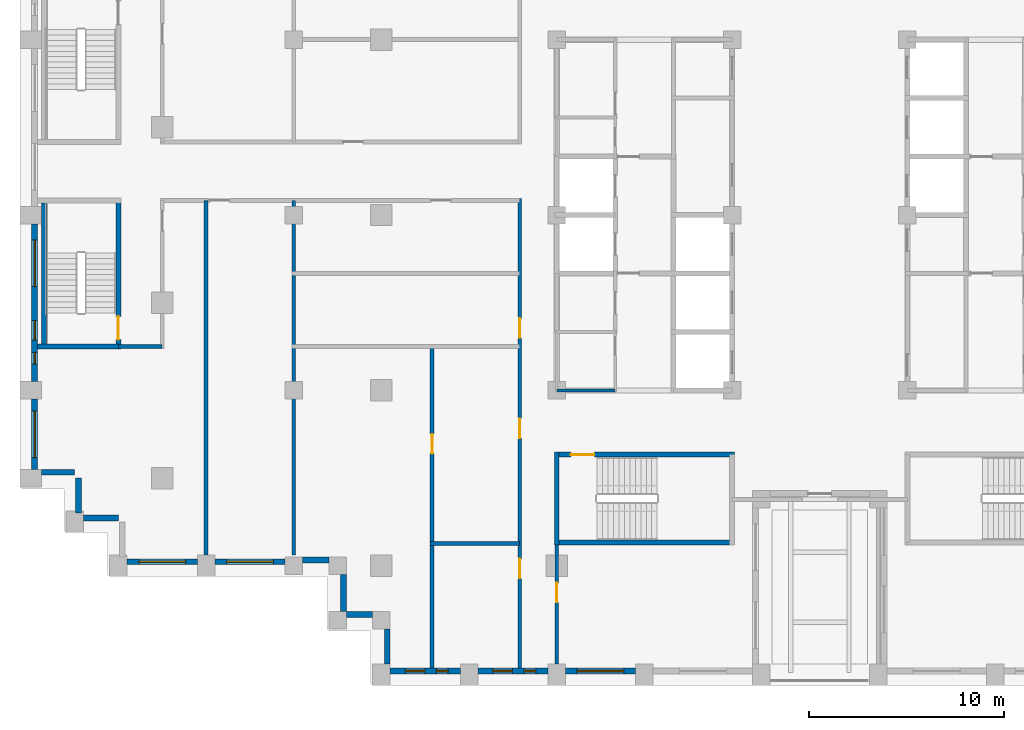
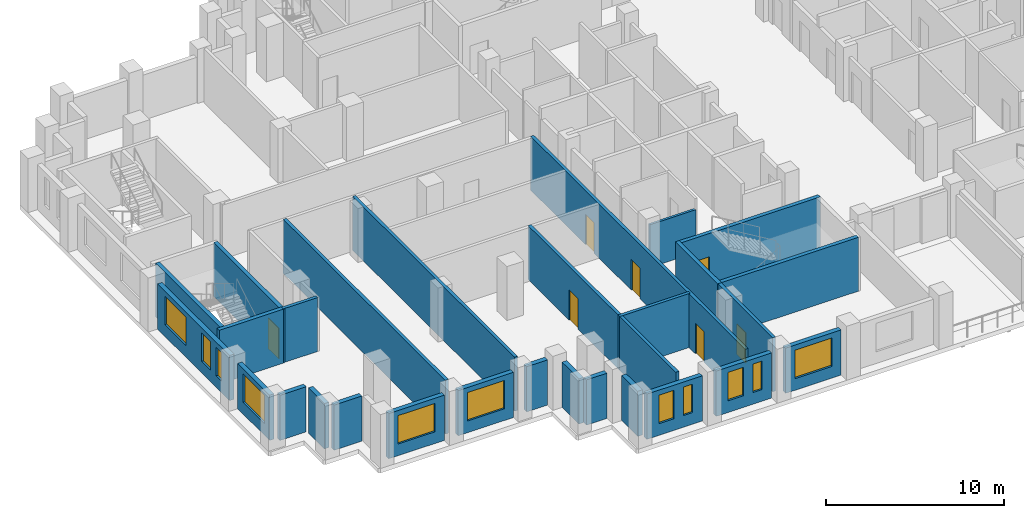
# One storey, part 2 of 12: 28 walls, 11 windows, 7 doors, 18 openings.
"""IFC4 building model written with IfcOpenShell, lengths in metres."""

from ifc_helpers import new_model, si_unit, direction, frame, frame_2d, origin, place, context, subcontext, project, spatial, rectangle, extrude, material, layer, layer_set, type_object, element, fill, save


model = new_model("IFC4")

# Units and contexts
model_context = context("Model", 3, precision=1e-05, world=origin(), true_north=direction((0.0, 1.0)))
body_context = subcontext(model_context, "Body", "Model", "MODEL_VIEW")
ifc_project = project(units=[si_unit("LENGTHUNIT", "METRE"), si_unit("AREAUNIT", "SQUARE_METRE"), si_unit("VOLUMEUNIT", "CUBIC_METRE"), si_unit("PLANEANGLEUNIT", "RADIAN"), si_unit("MASSUNIT", "GRAM", prefix="KILO")], contexts=[model_context])

# Site, building, storey
site_placement = place(None, origin())
site = spatial("IfcSite", under=ifc_project, at=site_placement, CompositionType="ELEMENT")
building_placement = place(site_placement, origin())
building = spatial("IfcBuilding", under=site, at=building_placement, Name="Corbelhall Arena Tower", CompositionType="ELEMENT")
storey_placement = place(building_placement, frame((0.0, 0.0, 126.0)))
storey = spatial("IfcBuildingStorey", under=building, at=storey_placement, Name="L23", CompositionType="ELEMENT", Elevation=126.0)

# Walls
ifc_material_1 = material(Name="Precast concrete C40/50 with granite facing", Category="masonry")
ifc_layer_1 = layer(ifc_material_1, 0.300048828125)
ifc_layer_set_1 = layer_set([ifc_layer_1], Name="EV-IW1 Infill panel 300")
wall_type_1 = type_object("IfcWallType", Name="EV-IW1 Infill panel 300", PredefinedType="SOLIDWALL", material=ifc_layer_set_1)
wall_1_placement = place(storey_placement, frame((-39.949951171875, -13.199951171875, 0.0), z_axis=(0.0, 0.0, 1.0), x_axis=(1.0, 0.0, 0.0)))
element("IfcWall", 1, at=wall_1_placement, inside=storey, type_object=wall_type_1, Name="Infill panel IW1", PredefinedType="SOLIDWALL", context=body_context, shape_type="SweptSolid", body=[
    extrude(rectangle(XDim=1.699951171875, YDim=0.300048828125, at=frame_2d((0.85009765625, 0.0))), origin(), (0.0, 0.0, 1.0), 3.10009765625),
])
for number, where, z_axis, x_axis, name in (
    (2, (-38.050048828125, -15.300048828125, 0.0), (0.0, 0.0, 1.0), (0.0, 1.0, 0.0), "Infill panel IW1"),
    (3, (-37.800048828125, -15.550048828125, 0.0), (0.0, 0.0, 1.0), (1.0, 0.0, 0.0), "Infill panel IW1"),
):
    element("IfcWall", number, at=place(storey_placement, frame(where, z_axis=z_axis, x_axis=x_axis)), inside=storey, type_object=wall_type_1, Name=name, PredefinedType="SOLIDWALL", context=body_context, shape_type="SweptSolid", body=[
        extrude(rectangle(XDim=1.800048828125, YDim=0.300048828125, at=frame_2d((0.89990234375, 0.0))), origin(), (0.0, 0.0, 1.0), 3.10009765625),
    ])

# Wall, openings, windows
wall_2_placement = place(storey_placement, frame((-40.300048828125, -0.449951171875, 0.0), z_axis=(0.0, 0.0, 1.0), x_axis=(0.0, -1.0, 0.0)))
wall_2 = element("IfcWall", 4, at=wall_2_placement, inside=storey, type_object=wall_type_1, Name="Infill panel IW1", PredefinedType="SOLIDWALL", context=body_context, shape_type="SweptSolid", body=[
    extrude(rectangle(XDim=8.10009765625, YDim=0.300048828125, at=frame_2d((4.050048828125, 0.0))), origin(), (0.0, 0.0, 1.0), 3.10009765625),
])
opening_1_placement = place(wall_2_placement, frame((0.824951171875, 0.0, 0.800048828125)))
opening_1 = element("IfcOpeningElement", 5, at=opening_1_placement, cuts=wall_2, Name="Opening WN1", PredefinedType="OPENING", context=body_context, shape_type="SweptSolid", body=[
    extrude(rectangle(XDim=2.39990234375, YDim=1.949951171875, at=frame_2d((1.199951171875, 0.97509765625))), frame((0.0, 0.14990234375, 0.0), z_axis=(0.0, -1.0, 0.0), x_axis=(1.0, 0.0, 0.0)), (0.0, 0.0, 1.0), 0.300048828125),
])
opening_2_placement = place(wall_2_placement, frame((4.97509765625, 0.0, 0.800048828125)))
opening_2 = element("IfcOpeningElement", 6, at=opening_2_placement, cuts=wall_2, Name="Opening WN6", PredefinedType="OPENING", context=body_context, shape_type="SweptSolid", body=[
    extrude(rectangle(XDim=1.0, YDim=1.949951171875, at=frame_2d((0.5, 0.97509765625))), frame((0.0, 0.14990234375, 0.0), z_axis=(0.0, -1.0, 0.0), x_axis=(1.0, 0.0, 0.0)), (0.0, 0.0, 1.0), 0.300048828125),
])
opening_3_placement = place(wall_2_placement, frame((6.60009765625, 0.0, 0.800048828125)))
opening_3 = element("IfcOpeningElement", 7, at=opening_3_placement, cuts=wall_2, Name="Opening WN5", PredefinedType="OPENING", context=body_context, shape_type="SweptSolid", body=[
    extrude(rectangle(XDim=0.60009765625, YDim=1.949951171875, at=frame_2d((0.300048828125, 0.97509765625))), frame((0.0, 0.14990234375, 0.0), z_axis=(0.0, -1.0, 0.0), x_axis=(1.0, 0.0, 0.0)), (0.0, 0.0, 1.0), 0.300048828125),
])
ifc_material_2 = material(Name="Aluminium black anodised", Category="aluminium")
window_type_1 = type_object("IfcWindowType", Name="EV-WN1 Office window", PartitioningType="SINGLE_PANEL", PredefinedType="WINDOW", material=ifc_material_2)
window_1_placement = place(opening_1_placement, origin())
window_1 = element("IfcWindow", 8, at=window_1_placement, inside=storey, type_object=window_type_1, Name="Window WN1", OverallHeight=1.949951171875, OverallWidth=2.39990234375, PartitioningType="SINGLE_PANEL", PredefinedType="WINDOW", context=body_context, shape_type="SweptSolid", body=[
    extrude(rectangle(XDim=2.39990234375, YDim=1.949951171875, at=frame_2d((1.199951171875, 0.97509765625))), frame((0.0, 0.030029296875, 0.0), z_axis=(0.0, -1.0, 0.0), x_axis=(1.0, 0.0, 0.0)), (0.0, 0.0, 1.0), 0.06005859375),
])
fill(opening_1, window_1)
window_type_2 = type_object("IfcWindowType", Name="EV-WN5 Office window 600", PartitioningType="SINGLE_PANEL", PredefinedType="WINDOW", material=ifc_material_2)
window_2_placement = place(opening_3_placement, origin())
window_2 = element("IfcWindow", 9, at=window_2_placement, inside=storey, type_object=window_type_2, Name="Window WN5", OverallHeight=1.949951171875, OverallWidth=0.60009765625, PartitioningType="SINGLE_PANEL", PredefinedType="WINDOW", context=body_context, shape_type="SweptSolid", body=[
    extrude(rectangle(XDim=0.60009765625, YDim=1.949951171875, at=frame_2d((0.300048828125, 0.97509765625))), frame((0.0, 0.030029296875, 0.0), z_axis=(0.0, -1.0, 0.0), x_axis=(1.0, 0.0, 0.0)), (0.0, 0.0, 1.0), 0.06005859375),
])
fill(opening_3, window_2)
window_type_3 = type_object("IfcWindowType", Name="EV-WN6 Office window 1000", PartitioningType="SINGLE_PANEL", PredefinedType="WINDOW", material=ifc_material_2)
window_3_placement = place(opening_2_placement, origin())
window_3 = element("IfcWindow", 10, at=window_3_placement, inside=storey, type_object=window_type_3, Name="Window WN6", OverallHeight=1.949951171875, OverallWidth=1.0, PartitioningType="SINGLE_PANEL", PredefinedType="WINDOW", context=body_context, shape_type="SweptSolid", body=[
    extrude(rectangle(XDim=1.0, YDim=1.949951171875, at=frame_2d((0.5, 0.97509765625))), frame((0.0, 0.030029296875, 0.0), z_axis=(0.0, -1.0, 0.0), x_axis=(1.0, 0.0, 0.0)), (0.0, 0.0, 1.0), 0.06005859375),
])
fill(opening_2, window_3)

# Wall, opening, window
wall_3_placement = place(storey_placement, frame((-40.300048828125, -9.449951171875, 0.0), z_axis=(0.0, 0.0, 1.0), x_axis=(0.0, -1.0, 0.0)))
wall_3 = element("IfcWall", 11, at=wall_3_placement, inside=storey, type_object=wall_type_1, Name="Infill panel IW1", PredefinedType="SOLIDWALL", context=body_context, shape_type="SweptSolid", body=[
    extrude(rectangle(XDim=3.60009765625, YDim=0.300048828125, at=frame_2d((1.800048828125, 0.0))), origin(), (0.0, 0.0, 1.0), 3.10009765625),
])
opening_4_placement = place(wall_3_placement, frame((0.60009765625, 0.0, 0.800048828125)))
opening_4 = element("IfcOpeningElement", 12, at=opening_4_placement, cuts=wall_3, Name="Opening WN1", PredefinedType="OPENING", context=body_context, shape_type="SweptSolid", body=[
    extrude(rectangle(XDim=2.39990234375, YDim=1.949951171875, at=frame_2d((1.199951171875, 0.97509765625))), frame((0.0, 0.14990234375, 0.0), z_axis=(0.0, -1.0, 0.0), x_axis=(1.0, 0.0, 0.0)), (0.0, 0.0, 1.0), 0.300048828125),
])
window_4_placement = place(opening_4_placement, origin())
window_4 = element("IfcWindow", 13, at=window_4_placement, inside=storey, type_object=window_type_1, Name="Window WN1", OverallHeight=1.949951171875, OverallWidth=2.39990234375, PartitioningType="SINGLE_PANEL", PredefinedType="WINDOW", context=body_context, shape_type="SweptSolid", body=[
    extrude(rectangle(XDim=2.39990234375, YDim=1.949951171875, at=frame_2d((1.199951171875, 0.97509765625))), frame((0.0, 0.030029296875, 0.0), z_axis=(0.0, -1.0, 0.0), x_axis=(1.0, 0.0, 0.0)), (0.0, 0.0, 1.0), 0.06005859375),
])
fill(opening_4, window_4)

wall_4_placement = place(storey_placement, frame((-35.550048828125, -17.800048828125, 0.0), z_axis=(0.0, 0.0, 1.0), x_axis=(1.0, 0.0, 0.0)))
wall_4 = element("IfcWall", 14, at=wall_4_placement, inside=storey, type_object=wall_type_1, Name="Infill panel IW1", PredefinedType="SOLIDWALL", context=body_context, shape_type="SweptSolid", body=[
    extrude(rectangle(XDim=3.60009765625, YDim=0.300048828125, at=frame_2d((1.800048828125, 0.0))), origin(), (0.0, 0.0, 1.0), 3.10009765625),
])
opening_5_placement = place(wall_4_placement, frame((0.60009765625, 0.0, 0.800048828125)))
opening_5 = element("IfcOpeningElement", 15, at=opening_5_placement, cuts=wall_4, Name="Opening WN1", PredefinedType="OPENING", context=body_context, shape_type="SweptSolid", body=[
    extrude(rectangle(XDim=2.39990234375, YDim=1.949951171875, at=frame_2d((1.199951171875, 0.97509765625))), frame((0.0, 0.14990234375, 0.0), z_axis=(0.0, -1.0, 0.0), x_axis=(1.0, 0.0, 0.0)), (0.0, 0.0, 1.0), 0.300048828125),
])
window_5_placement = place(opening_5_placement, origin())
window_5 = element("IfcWindow", 16, at=window_5_placement, inside=storey, type_object=window_type_1, Name="Window WN1", OverallHeight=1.949951171875, OverallWidth=2.39990234375, PartitioningType="SINGLE_PANEL", PredefinedType="WINDOW", context=body_context, shape_type="SweptSolid", body=[
    extrude(rectangle(XDim=2.39990234375, YDim=1.949951171875, at=frame_2d((1.199951171875, 0.97509765625))), frame((0.0, 0.030029296875, 0.0), z_axis=(0.0, -1.0, 0.0), x_axis=(1.0, 0.0, 0.0)), (0.0, 0.0, 1.0), 0.06005859375),
])
fill(opening_5, window_5)

wall_5_placement = place(storey_placement, frame((-31.050048828125, -17.800048828125, 0.0), z_axis=(0.0, 0.0, 1.0), x_axis=(1.0, 0.0, 0.0)))
wall_5 = element("IfcWall", 17, at=wall_5_placement, inside=storey, type_object=wall_type_1, Name="Infill panel IW1", PredefinedType="SOLIDWALL", context=body_context, shape_type="SweptSolid", body=[
    extrude(rectangle(XDim=3.60009765625, YDim=0.300048828125, at=frame_2d((1.800048828125, 0.0))), origin(), (0.0, 0.0, 1.0), 3.10009765625),
])
opening_6_placement = place(wall_5_placement, frame((0.60009765625, 0.0, 0.800048828125)))
opening_6 = element("IfcOpeningElement", 18, at=opening_6_placement, cuts=wall_5, Name="Opening WN1", PredefinedType="OPENING", context=body_context, shape_type="SweptSolid", body=[
    extrude(rectangle(XDim=2.39990234375, YDim=1.949951171875, at=frame_2d((1.199951171875, 0.97509765625))), frame((0.0, 0.14990234375, 0.0), z_axis=(0.0, -1.0, 0.0), x_axis=(1.0, 0.0, 0.0)), (0.0, 0.0, 1.0), 0.300048828125),
])
window_6_placement = place(opening_6_placement, origin())
window_6 = element("IfcWindow", 19, at=window_6_placement, inside=storey, type_object=window_type_1, Name="Window WN1", OverallHeight=1.949951171875, OverallWidth=2.39990234375, PartitioningType="SINGLE_PANEL", PredefinedType="WINDOW", context=body_context, shape_type="SweptSolid", body=[
    extrude(rectangle(XDim=2.39990234375, YDim=1.949951171875, at=frame_2d((1.199951171875, 0.97509765625))), frame((0.0, 0.030029296875, 0.0), z_axis=(0.0, -1.0, 0.0), x_axis=(1.0, 0.0, 0.0)), (0.0, 0.0, 1.0), 0.06005859375),
])
fill(opening_6, window_6)

# Walls
wall_6_placement = place(storey_placement, frame((-26.550048828125, -17.699951171875, 0.0), z_axis=(0.0, 0.0, 1.0), x_axis=(1.0, 0.0, 0.0)))
element("IfcWall", 20, at=wall_6_placement, inside=storey, type_object=wall_type_1, Name="Infill panel IW1", PredefinedType="SOLIDWALL", context=body_context, shape_type="SweptSolid", body=[
    extrude(rectangle(XDim=1.35009765625, YDim=0.300048828125, at=frame_2d((0.675048828125, 0.0))), origin(), (0.0, 0.0, 1.0), 3.10009765625),
])
wall_7_placement = place(storey_placement, frame((-24.449951171875, -18.449951171875, 0.0), z_axis=(0.0, 0.0, 1.0), x_axis=(0.0, -1.0, 0.0)))
element("IfcWall", 21, at=wall_7_placement, inside=storey, type_object=wall_type_1, Name="Infill panel IW1", PredefinedType="SOLIDWALL", context=body_context, shape_type="SweptSolid", body=[
    extrude(rectangle(XDim=1.900146484375, YDim=0.300048828125, at=frame_2d((0.9501953125, 0.0))), origin(), (0.0, 0.0, 1.0), 3.10009765625),
])
wall_8_placement = place(storey_placement, frame((-24.300048828125, -20.5, 0.0), z_axis=(0.0, 0.0, 1.0), x_axis=(1.0, 0.0, 0.0)))
element("IfcWall", 22, at=wall_8_placement, inside=storey, type_object=wall_type_1, Name="Infill panel IW1", PredefinedType="SOLIDWALL", context=body_context, shape_type="SweptSolid", body=[
    extrude(rectangle(XDim=1.35009765625, YDim=0.300048828125, at=frame_2d((0.675048828125, 0.0))), origin(), (0.0, 0.0, 1.0), 3.10009765625),
])
wall_9_placement = place(storey_placement, frame((-22.199951171875, -21.25, 0.0), z_axis=(0.0, 0.0, 1.0), x_axis=(0.0, -1.0, 0.0)))
element("IfcWall", 23, at=wall_9_placement, inside=storey, type_object=wall_type_1, Name="Infill panel IW1", PredefinedType="SOLIDWALL", context=body_context, shape_type="SweptSolid", body=[
    extrude(rectangle(XDim=1.800048828125, YDim=0.300048828125, at=frame_2d((0.89990234375, 0.0))), origin(), (0.0, 0.0, 1.0), 3.10009765625),
])

# Wall, openings, windows
wall_10_placement = place(storey_placement, frame((-22.050048828125, -23.39990234375, 0.0), z_axis=(0.0, 0.0, 1.0), x_axis=(1.0, 0.0, 0.0)))
wall_10 = element("IfcWall", 24, at=wall_10_placement, inside=storey, type_object=wall_type_1, Name="Infill panel IW1", PredefinedType="SOLIDWALL", context=body_context, shape_type="SweptSolid", body=[
    extrude(rectangle(XDim=3.60009765625, YDim=0.300048828125, at=frame_2d((1.800048828125, 0.0))), origin(), (0.0, 0.0, 1.0), 3.10009765625),
])
opening_7_placement = place(wall_10_placement, frame((0.77490234375, 0.0, 0.800048828125)))
opening_7 = element("IfcOpeningElement", 25, at=opening_7_placement, cuts=wall_10, Name="Opening WN6", PredefinedType="OPENING", context=body_context, shape_type="SweptSolid", body=[
    extrude(rectangle(XDim=1.0, YDim=1.949951171875, at=frame_2d((0.5, 0.97509765625))), frame((0.0, 0.14990234375, 0.0), z_axis=(0.0, -1.0, 0.0), x_axis=(1.0, 0.0, 0.0)), (0.0, 0.0, 1.0), 0.300048828125),
])
opening_8_placement = place(wall_10_placement, frame((2.375, 0.0, 0.800048828125)))
opening_8 = element("IfcOpeningElement", 26, at=opening_8_placement, cuts=wall_10, Name="Opening WN5", PredefinedType="OPENING", context=body_context, shape_type="SweptSolid", body=[
    extrude(rectangle(XDim=0.60009765625, YDim=1.949951171875, at=frame_2d((0.300048828125, 0.97509765625))), frame((0.0, 0.14990234375, 0.0), z_axis=(0.0, -1.0, 0.0), x_axis=(1.0, 0.0, 0.0)), (0.0, 0.0, 1.0), 0.300048828125),
])
window_7_placement = place(opening_8_placement, origin())
window_7 = element("IfcWindow", 27, at=window_7_placement, inside=storey, type_object=window_type_2, Name="Window WN5", OverallHeight=1.949951171875, OverallWidth=0.60009765625, PartitioningType="SINGLE_PANEL", PredefinedType="WINDOW", context=body_context, shape_type="SweptSolid", body=[
    extrude(rectangle(XDim=0.60009765625, YDim=1.949951171875, at=frame_2d((0.300048828125, 0.97509765625))), frame((0.0, 0.030029296875, 0.0), z_axis=(0.0, -1.0, 0.0), x_axis=(1.0, 0.0, 0.0)), (0.0, 0.0, 1.0), 0.06005859375),
])
fill(opening_8, window_7)
window_8_placement = place(opening_7_placement, origin())
window_8 = element("IfcWindow", 28, at=window_8_placement, inside=storey, type_object=window_type_3, Name="Window WN6", OverallHeight=1.949951171875, OverallWidth=1.0, PartitioningType="SINGLE_PANEL", PredefinedType="WINDOW", context=body_context, shape_type="SweptSolid", body=[
    extrude(rectangle(XDim=1.0, YDim=1.949951171875, at=frame_2d((0.5, 0.97509765625))), frame((0.0, 0.030029296875, 0.0), z_axis=(0.0, -1.0, 0.0), x_axis=(1.0, 0.0, 0.0)), (0.0, 0.0, 1.0), 0.06005859375),
])
fill(opening_7, window_8)

wall_11_placement = place(storey_placement, frame((-17.550048828125, -23.39990234375, 0.0), z_axis=(0.0, 0.0, 1.0), x_axis=(1.0, 0.0, 0.0)))
wall_11 = element("IfcWall", 29, at=wall_11_placement, inside=storey, type_object=wall_type_1, Name="Infill panel IW1", PredefinedType="SOLIDWALL", context=body_context, shape_type="SweptSolid", body=[
    extrude(rectangle(XDim=3.60009765625, YDim=0.300048828125, at=frame_2d((1.800048828125, 0.0))), origin(), (0.0, 0.0, 1.0), 3.10009765625),
])
opening_9_placement = place(wall_11_placement, frame((0.77490234375, 0.0, 0.800048828125)))
opening_9 = element("IfcOpeningElement", 30, at=opening_9_placement, cuts=wall_11, Name="Opening WN6", PredefinedType="OPENING", context=body_context, shape_type="SweptSolid", body=[
    extrude(rectangle(XDim=1.0, YDim=1.949951171875, at=frame_2d((0.5, 0.97509765625))), frame((0.0, 0.14990234375, 0.0), z_axis=(0.0, -1.0, 0.0), x_axis=(1.0, 0.0, 0.0)), (0.0, 0.0, 1.0), 0.300048828125),
])
opening_10_placement = place(wall_11_placement, frame((2.375, 0.0, 0.800048828125)))
opening_10 = element("IfcOpeningElement", 31, at=opening_10_placement, cuts=wall_11, Name="Opening WN5", PredefinedType="OPENING", context=body_context, shape_type="SweptSolid", body=[
    extrude(rectangle(XDim=0.60009765625, YDim=1.949951171875, at=frame_2d((0.300048828125, 0.97509765625))), frame((0.0, 0.14990234375, 0.0), z_axis=(0.0, -1.0, 0.0), x_axis=(1.0, 0.0, 0.0)), (0.0, 0.0, 1.0), 0.300048828125),
])
window_9_placement = place(opening_10_placement, origin())
window_9 = element("IfcWindow", 32, at=window_9_placement, inside=storey, type_object=window_type_2, Name="Window WN5", OverallHeight=1.949951171875, OverallWidth=0.60009765625, PartitioningType="SINGLE_PANEL", PredefinedType="WINDOW", context=body_context, shape_type="SweptSolid", body=[
    extrude(rectangle(XDim=0.60009765625, YDim=1.949951171875, at=frame_2d((0.300048828125, 0.97509765625))), frame((0.0, 0.030029296875, 0.0), z_axis=(0.0, -1.0, 0.0), x_axis=(1.0, 0.0, 0.0)), (0.0, 0.0, 1.0), 0.06005859375),
])
fill(opening_10, window_9)
window_10_placement = place(opening_9_placement, origin())
window_10 = element("IfcWindow", 33, at=window_10_placement, inside=storey, type_object=window_type_3, Name="Window WN6", OverallHeight=1.949951171875, OverallWidth=1.0, PartitioningType="SINGLE_PANEL", PredefinedType="WINDOW", context=body_context, shape_type="SweptSolid", body=[
    extrude(rectangle(XDim=1.0, YDim=1.949951171875, at=frame_2d((0.5, 0.97509765625))), frame((0.0, 0.030029296875, 0.0), z_axis=(0.0, -1.0, 0.0), x_axis=(1.0, 0.0, 0.0)), (0.0, 0.0, 1.0), 0.06005859375),
])
fill(opening_9, window_10)

# Wall, opening, window
wall_12_placement = place(storey_placement, frame((-13.050048828125, -23.39990234375, 0.0), z_axis=(0.0, 0.0, 1.0), x_axis=(1.0, 0.0, 0.0)))
wall_12 = element("IfcWall", 34, at=wall_12_placement, inside=storey, type_object=wall_type_1, Name="Infill panel IW1", PredefinedType="SOLIDWALL", context=body_context, shape_type="SweptSolid", body=[
    extrude(rectangle(XDim=3.60009765625, YDim=0.300048828125, at=frame_2d((1.800048828125, 0.0))), origin(), (0.0, 0.0, 1.0), 3.10009765625),
])
opening_11_placement = place(wall_12_placement, frame((0.60009765625, 0.0, 0.800048828125)))
opening_11 = element("IfcOpeningElement", 35, at=opening_11_placement, cuts=wall_12, Name="Opening WN1", PredefinedType="OPENING", context=body_context, shape_type="SweptSolid", body=[
    extrude(rectangle(XDim=2.39990234375, YDim=1.949951171875, at=frame_2d((1.199951171875, 0.97509765625))), frame((0.0, 0.14990234375, 0.0), z_axis=(0.0, -1.0, 0.0), x_axis=(1.0, 0.0, 0.0)), (0.0, 0.0, 1.0), 0.300048828125),
])
window_11_placement = place(opening_11_placement, origin())
window_11 = element("IfcWindow", 36, at=window_11_placement, inside=storey, type_object=window_type_1, Name="Window WN1", OverallHeight=1.949951171875, OverallWidth=2.39990234375, PartitioningType="SINGLE_PANEL", PredefinedType="WINDOW", context=body_context, shape_type="SweptSolid", body=[
    extrude(rectangle(XDim=2.39990234375, YDim=1.949951171875, at=frame_2d((1.199951171875, 0.97509765625))), frame((0.0, 0.030029296875, 0.0), z_axis=(0.0, -1.0, 0.0), x_axis=(1.0, 0.0, 0.0)), (0.0, 0.0, 1.0), 0.06005859375),
])
fill(opening_11, window_11)

# Walls
ifc_material_3 = material(Name="Gypsum board on steel stud, acoustic", Category="steel")
ifc_layer_2 = layer(ifc_material_3, 0.199951171875)
ifc_layer_set_2 = layer_set([ifc_layer_2], Name="IN-W-DM200")
wall_type_2 = type_object("IfcWallType", Name="IN-W-DM200", PredefinedType="PARTITIONING", material=ifc_layer_set_2)
wall_13_placement = place(storey_placement, frame((-33.75, -6.75, 0.0), z_axis=(0.0, 0.0, 1.0), x_axis=(-1.0, 0.0, 0.0)))
element("IfcWall", 37, at=wall_13_placement, inside=storey, type_object=wall_type_2, Name="Partition 003", PredefinedType="PARTITIONING", context=body_context, shape_type="SweptSolid", body=[
    extrude(rectangle(XDim=2.25, YDim=0.199951171875, at=frame_2d((1.125, 0.0))), origin(), (0.0, 0.0, 1.0), 3.699951171875),
])
for number, where, z_axis, x_axis, name in (
    (38, (-31.5, 0.75, 0.0), (0.0, 0.0, 1.0), (0.0, -1.0, 0.0), "Partition 006"),
    (39, (-27.0, -17.449951171875, 0.0), (0.0, 0.0, 1.0), (0.0, 1.0, 0.0), "Partition 011"),
):
    element("IfcWall", number, at=place(storey_placement, frame(where, z_axis=z_axis, x_axis=x_axis)), inside=storey, type_object=wall_type_2, Name=name, PredefinedType="PARTITIONING", context=body_context, shape_type="SweptSolid", body=[
        extrude(rectangle(XDim=18.199951171875, YDim=0.199951171875, at=frame_2d((9.10009765625, 0.0))), origin(), (0.0, 0.0, 1.0), 3.699951171875),
    ])
wall_14_placement = place(storey_placement, frame((-20.0, -16.85009765625, 0.0), z_axis=(0.0, 0.0, 1.0), x_axis=(1.0, 0.0, 0.0)))
element("IfcWall", 40, at=wall_14_placement, inside=storey, type_object=wall_type_2, Name="Partition 015", PredefinedType="PARTITIONING", context=body_context, shape_type="SweptSolid", body=[
    extrude(rectangle(XDim=4.60009765625, YDim=0.199951171875, at=frame_2d((2.300048828125, 0.0))), origin(), (0.0, 0.0, 1.0), 3.699951171875),
])

# Wall, opening, door
wall_15_placement = place(storey_placement, frame((-19.89990234375, -23.25, 0.0), z_axis=(0.0, 0.0, 1.0), x_axis=(0.0, 1.0, 0.0)))
wall_15 = element("IfcWall", 41, at=wall_15_placement, inside=storey, type_object=wall_type_2, Name="Partition 016", PredefinedType="PARTITIONING", context=body_context, shape_type="SweptSolid", body=[
    extrude(rectangle(XDim=16.60009765625, YDim=0.199951171875, at=frame_2d((8.300048828125, 0.0))), origin(), (0.0, 0.0, 1.0), 3.699951171875),
])
opening_12_placement = place(wall_15_placement, frame((11.0, 0.0, 0.0)))
opening_12 = element("IfcOpeningElement", 42, at=opening_12_placement, cuts=wall_15, Name="Opening 06030", PredefinedType="OPENING", context=body_context, shape_type="SweptSolid", body=[
    extrude(rectangle(XDim=1.0, YDim=2.10009765625, at=frame_2d((0.5, 1.050048828125))), frame((0.0, 0.10009765625, 0.0), z_axis=(0.0, -1.0, 0.0), x_axis=(1.0, 0.0, 0.0)), (0.0, 0.0, 1.0), 0.199951171875),
])
ifc_material_4 = material(Name="Steel door set", Category="steel")
door_type_1 = type_object("IfcDoorType", Name="IN-D-SW100", OperationType="NOTDEFINED", PredefinedType="DOOR", material=ifc_material_4)
door_1_placement = place(opening_12_placement, origin())
door_1 = element("IfcDoor", 43, at=door_1_placement, inside=storey, type_object=door_type_1, Name="Door 030", OperationType="SINGLE_SWING_LEFT", OverallHeight=2.10009765625, OverallWidth=1.0, PredefinedType="DOOR", context=body_context, shape_type="SweptSolid", body=[
    extrude(rectangle(XDim=1.0, YDim=2.10009765625, at=frame_2d((0.5, 1.050048828125))), frame((0.0, 0.02490234375, 0.0), z_axis=(0.0, -1.0, 0.0), x_axis=(1.0, 0.0, 0.0)), (0.0, 0.0, 1.0), 0.050048828125),
])
fill(opening_12, door_1)

# Wall, openings, doors
wall_16_placement = place(storey_placement, frame((-15.39990234375, -23.25, 0.0), z_axis=(0.0, 0.0, 1.0), x_axis=(0.0, 1.0, 0.0)))
wall_16 = element("IfcWall", 44, at=wall_16_placement, inside=storey, type_object=wall_type_2, Name="Partition 017", PredefinedType="PARTITIONING", context=body_context, shape_type="SweptSolid", body=[
    extrude(rectangle(XDim=24.10009765625, YDim=0.199951171875, at=frame_2d((12.050048828125, 0.0))), origin(), (0.0, 0.0, 1.0), 3.699951171875),
])
opening_13_placement = place(wall_16_placement, frame((4.60009765625, 0.0, 0.0)))
opening_13 = element("IfcOpeningElement", 45, at=opening_13_placement, cuts=wall_16, Name="Opening 06028", PredefinedType="OPENING", context=body_context, shape_type="SweptSolid", body=[
    extrude(rectangle(XDim=1.0, YDim=2.10009765625, at=frame_2d((0.5, 1.050048828125))), frame((0.0, 0.10009765625, 0.0), z_axis=(0.0, -1.0, 0.0), x_axis=(1.0, 0.0, 0.0)), (0.0, 0.0, 1.0), 0.199951171875),
])
opening_14_placement = place(wall_16_placement, frame((11.800048828125, 0.0, 0.0)))
opening_14 = element("IfcOpeningElement", 46, at=opening_14_placement, cuts=wall_16, Name="Opening 06029", PredefinedType="OPENING", context=body_context, shape_type="SweptSolid", body=[
    extrude(rectangle(XDim=1.0, YDim=2.10009765625, at=frame_2d((0.5, 1.050048828125))), frame((0.0, 0.10009765625, 0.0), z_axis=(0.0, -1.0, 0.0), x_axis=(1.0, 0.0, 0.0)), (0.0, 0.0, 1.0), 0.199951171875),
])
opening_15_placement = place(wall_16_placement, frame((16.949951171875, 0.0, 0.0)))
opening_15 = element("IfcOpeningElement", 47, at=opening_15_placement, cuts=wall_16, Name="Opening 06031", PredefinedType="OPENING", context=body_context, shape_type="SweptSolid", body=[
    extrude(rectangle(XDim=1.0, YDim=2.10009765625, at=frame_2d((0.5, 1.050048828125))), frame((0.0, 0.10009765625, 0.0), z_axis=(0.0, -1.0, 0.0), x_axis=(1.0, 0.0, 0.0)), (0.0, 0.0, 1.0), 0.199951171875),
])
door_2_placement = place(opening_13_placement, origin())
door_2 = element("IfcDoor", 48, at=door_2_placement, inside=storey, type_object=door_type_1, Name="Door 028", OperationType="SINGLE_SWING_LEFT", OverallHeight=2.10009765625, OverallWidth=1.0, PredefinedType="DOOR", context=body_context, shape_type="SweptSolid", body=[
    extrude(rectangle(XDim=1.0, YDim=2.10009765625, at=frame_2d((0.5, 1.050048828125))), frame((0.0, 0.02490234375, 0.0), z_axis=(0.0, -1.0, 0.0), x_axis=(1.0, 0.0, 0.0)), (0.0, 0.0, 1.0), 0.050048828125),
])
fill(opening_13, door_2)
door_3_placement = place(opening_14_placement, origin())
door_3 = element("IfcDoor", 49, at=door_3_placement, inside=storey, type_object=door_type_1, Name="Door 029", OperationType="SINGLE_SWING_RIGHT", OverallHeight=2.10009765625, OverallWidth=1.0, PredefinedType="DOOR", context=body_context, shape_type="SweptSolid", body=[
    extrude(rectangle(XDim=1.0, YDim=2.10009765625, at=frame_2d((0.5, 1.050048828125))), frame((0.0, 0.02490234375, 0.0), z_axis=(0.0, -1.0, 0.0), x_axis=(1.0, 0.0, 0.0)), (0.0, 0.0, 1.0), 0.050048828125),
])
fill(opening_14, door_3)
door_4_placement = place(opening_15_placement, origin())
door_4 = element("IfcDoor", 50, at=door_4_placement, inside=storey, type_object=door_type_1, Name="Door 031", OperationType="SINGLE_SWING_RIGHT", OverallHeight=2.10009765625, OverallWidth=1.0, PredefinedType="DOOR", context=body_context, shape_type="SweptSolid", body=[
    extrude(rectangle(XDim=1.0, YDim=2.10009765625, at=frame_2d((0.5, 1.050048828125))), frame((0.0, 0.02490234375, 0.0), z_axis=(0.0, -1.0, 0.0), x_axis=(1.0, 0.0, 0.0)), (0.0, 0.0, 1.0), 0.050048828125),
])
fill(opening_15, door_4)

# Wall, opening, door
wall_17_placement = place(storey_placement, frame((-13.5, -16.675048828125, 0.0), z_axis=(0.0, 0.0, 1.0), x_axis=(0.0, -1.0, 0.0)))
wall_17 = element("IfcWall", 51, at=wall_17_placement, inside=storey, type_object=wall_type_2, Name="Partition 022", PredefinedType="PARTITIONING", context=body_context, shape_type="SweptSolid", body=[
    extrude(rectangle(XDim=6.375, YDim=0.199951171875, at=frame_2d((3.1875, 0.0))), origin(), (0.0, 0.0, 1.0), 3.699951171875),
])
opening_16_placement = place(wall_17_placement, frame((2.199951171875, 0.0, 0.0)))
opening_16 = element("IfcOpeningElement", 52, at=opening_16_placement, cuts=wall_17, Name="Opening 06024", PredefinedType="OPENING", context=body_context, shape_type="SweptSolid", body=[
    extrude(rectangle(XDim=1.0, YDim=2.10009765625, at=frame_2d((0.5, 1.050048828125))), frame((0.0, 0.10009765625, 0.0), z_axis=(0.0, -1.0, 0.0), x_axis=(1.0, 0.0, 0.0)), (0.0, 0.0, 1.0), 0.199951171875),
])
door_5_placement = place(opening_16_placement, origin())
door_5 = element("IfcDoor", 53, at=door_5_placement, inside=storey, type_object=door_type_1, Name="Door 024", OperationType="SINGLE_SWING_LEFT", OverallHeight=2.10009765625, OverallWidth=1.0, PredefinedType="DOOR", context=body_context, shape_type="SweptSolid", body=[
    extrude(rectangle(XDim=1.0, YDim=2.10009765625, at=frame_2d((0.5, 1.050048828125))), frame((0.0, 0.02490234375, 0.0), z_axis=(0.0, -1.0, 0.0), x_axis=(1.0, 0.0, 0.0)), (0.0, 0.0, 1.0), 0.050048828125),
])
fill(opening_16, door_5)

# Wall
ifc_material_5 = material(Name="Concrete C40/50", Category="concrete")
ifc_layer_3 = layer(ifc_material_5, 0.25)
ifc_layer_set_3 = layer_set([ifc_layer_3], Name="IN-W-ST250")
wall_type_3 = type_object("IfcWallType", Name="IN-W-ST250", PredefinedType="SOLIDWALL", material=ifc_layer_set_3)
wall_18_placement = place(storey_placement, frame((-36.0, -6.75, 0.0), z_axis=(0.0, 0.0, 1.0), x_axis=(-1.0, 0.0, 0.0)))
element("IfcWall", 54, at=wall_18_placement, inside=storey, type_object=wall_type_3, Name="Shaft wall 086", PredefinedType="SOLIDWALL", context=body_context, shape_type="SweptSolid", body=[
    extrude(rectangle(XDim=4.14990234375, YDim=0.25, at=frame_2d((2.074951171875, 0.0))), origin(), (0.0, 0.0, 1.0), 3.699951171875),
])

# Wall, opening, door
wall_19_placement = place(storey_placement, frame((-36.0, 0.75, 0.0), z_axis=(0.0, 0.0, 1.0), x_axis=(0.0, -1.0, 0.0)))
wall_19 = element("IfcWall", 55, at=wall_19_placement, inside=storey, type_object=wall_type_3, Name="Shaft wall 087", PredefinedType="SOLIDWALL", context=body_context, shape_type="SweptSolid", body=[
    extrude(rectangle(XDim=7.625, YDim=0.25, at=frame_2d((3.8125, 0.0))), origin(), (0.0, 0.0, 1.0), 3.699951171875),
])
opening_17_placement = place(wall_19_placement, frame((5.949951171875, 0.0, 0.0)))
opening_17 = element("IfcOpeningElement", 56, at=opening_17_placement, cuts=wall_19, Name="Opening 06020", PredefinedType="OPENING", context=body_context, shape_type="SweptSolid", body=[
    extrude(rectangle(XDim=1.199951171875, YDim=2.10009765625, at=frame_2d((0.60009765625, 1.050048828125))), frame((0.0, 0.125, 0.0), z_axis=(0.0, -1.0, 0.0), x_axis=(1.0, 0.0, 0.0)), (0.0, 0.0, 1.0), 0.25),
])
door_type_2 = type_object("IfcDoorType", Name="IN-D-ST120", OperationType="NOTDEFINED", PredefinedType="DOOR", material=ifc_material_4)
door_6_placement = place(opening_17_placement, origin())
door_6 = element("IfcDoor", 57, at=door_6_placement, inside=storey, type_object=door_type_2, Name="Door 020", OperationType="SINGLE_SWING_LEFT", OverallHeight=2.10009765625, OverallWidth=1.199951171875, PredefinedType="DOOR", context=body_context, shape_type="SweptSolid", body=[
    extrude(rectangle(XDim=1.199951171875, YDim=2.10009765625, at=frame_2d((0.60009765625, 1.050048828125))), frame((0.0, 0.02490234375, 0.0), z_axis=(0.0, -1.0, 0.0), x_axis=(1.0, 0.0, 0.0)), (0.0, 0.0, 1.0), 0.050048828125),
])
fill(opening_17, door_6)

# Walls
wall_20_placement = place(storey_placement, frame((-13.5, -12.175048828125, 0.0), z_axis=(0.0, 0.0, 1.0), x_axis=(0.0, -1.0, 0.0)))
element("IfcWall", 58, at=wall_20_placement, inside=storey, type_object=wall_type_3, Name="Shaft wall 090", PredefinedType="SOLIDWALL", context=body_context, shape_type="SweptSolid", body=[
    extrude(rectangle(XDim=4.75, YDim=0.25, at=frame_2d((2.375, 0.0))), origin(), (0.0, 0.0, 1.0), 3.699951171875),
])
wall_21_placement = place(storey_placement, frame((-4.5, -16.800048828125, 0.0), z_axis=(0.0, 0.0, 1.0), x_axis=(-1.0, 0.0, 0.0)))
element("IfcWall", 59, at=wall_21_placement, inside=storey, type_object=wall_type_3, Name="Shaft wall 094", PredefinedType="SOLIDWALL", context=body_context, shape_type="SweptSolid", body=[
    extrude(rectangle(XDim=9.0, YDim=0.25, at=frame_2d((4.5, 0.0))), origin(), (0.0, 0.0, 1.0), 3.699951171875),
])

# Wall, opening, door
wall_22_placement = place(storey_placement, frame((-4.375, -12.300048828125, 0.0), z_axis=(0.0, 0.0, 1.0), x_axis=(-1.0, 0.0, 0.0)))
wall_22 = element("IfcWall", 60, at=wall_22_placement, inside=storey, type_object=wall_type_3, Name="Shaft wall 097", PredefinedType="SOLIDWALL", context=body_context, shape_type="SweptSolid", body=[
    extrude(rectangle(XDim=9.125, YDim=0.25, at=frame_2d((4.5625, 0.0))), origin(), (0.0, 0.0, 1.0), 3.699951171875),
])
opening_18_placement = place(wall_22_placement, frame((7.199951171875, 0.0, 0.0)))
opening_18 = element("IfcOpeningElement", 61, at=opening_18_placement, cuts=wall_22, Name="Opening 06016", PredefinedType="OPENING", context=body_context, shape_type="SweptSolid", body=[
    extrude(rectangle(XDim=1.199951171875, YDim=2.10009765625, at=frame_2d((0.60009765625, 1.050048828125))), frame((0.0, 0.125, 0.0), z_axis=(0.0, -1.0, 0.0), x_axis=(1.0, 0.0, 0.0)), (0.0, 0.0, 1.0), 0.25),
])
door_7_placement = place(opening_18_placement, origin())
door_7 = element("IfcDoor", 62, at=door_7_placement, inside=storey, type_object=door_type_2, Name="Door 016", OperationType="SINGLE_SWING_LEFT", OverallHeight=2.10009765625, OverallWidth=1.199951171875, PredefinedType="DOOR", context=body_context, shape_type="SweptSolid", body=[
    extrude(rectangle(XDim=1.199951171875, YDim=2.10009765625, at=frame_2d((0.60009765625, 1.050048828125))), frame((0.0, 0.02490234375, 0.0), z_axis=(0.0, -1.0, 0.0), x_axis=(1.0, 0.0, 0.0)), (0.0, 0.0, 1.0), 0.050048828125),
])
fill(opening_18, door_7)

# Walls
wall_23_placement = place(storey_placement, frame((-39.824951171875, -6.625, 0.0), z_axis=(0.0, 0.0, 1.0), x_axis=(0.0, 1.0, 0.0)))
element("IfcWall", 63, at=wall_23_placement, inside=storey, type_object=wall_type_3, Name="Shaft wall SC2 facade side", PredefinedType="SOLIDWALL", context=body_context, shape_type="SweptSolid", body=[
    extrude(rectangle(XDim=7.25, YDim=0.25, at=frame_2d((3.625, 0.0))), origin(), (0.0, 0.0, 1.0), 3.699951171875),
])
ifc_material_6 = material(Name="Gypsum board on steel stud, moisture resistant", Category="steel")
ifc_layer_4 = layer(ifc_material_6, 0.14990234375)
ifc_layer_set_4 = layer_set([ifc_layer_4], Name="IN-W-WC150 under beam 762 mm")
wall_type_4 = type_object("IfcWallType", Name="IN-W-WC150 under beam 762 mm", PredefinedType="PARTITIONING", material=ifc_layer_set_4)
wall_24_placement = place(storey_placement, frame((-10.5, -9.0, 0.0), z_axis=(0.0, 0.0, 1.0), x_axis=(-1.0, 0.0, 0.0)))
element("IfcWall", 64, at=wall_24_placement, inside=storey, type_object=wall_type_4, Name="Partition 116", PredefinedType="PARTITIONING", context=body_context, shape_type="SweptSolid", body=[
    extrude(rectangle(XDim=3.0, YDim=0.14990234375, at=frame_2d((1.5, 0.0))), origin(), (0.0, 0.0, 1.0), 2.93798828125),
])

save(model, "model.ifc")
